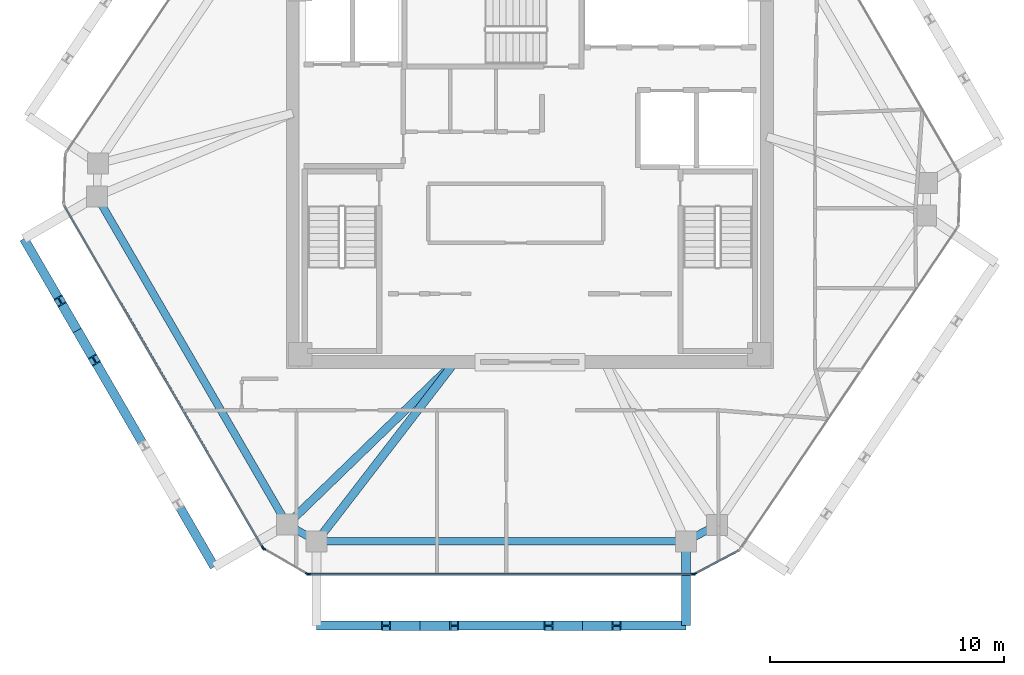
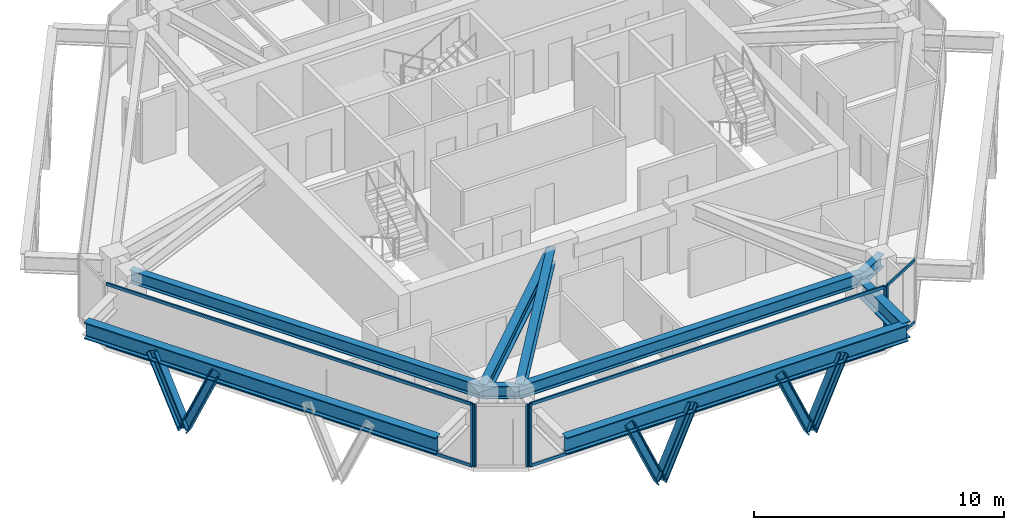
# One storey, part 2 of 11: 18 members, 9 beams, 4 elements without a shape of their own.
"""IFC4 building model written with IfcOpenShell, lengths in metres."""

from ifc_helpers import new_model, si_unit, direction, frame, origin, origin_2d, place, context, subcontext, project, spatial, rectangle, i_section, extrude, source, transform, mapped, material, layer, layer_set, material_profile, profile_set, type_object, type_shapes, element, aggregate, save


model = new_model("IFC4")

# Units and contexts
model_context = context("Model", 3, precision=1e-05, world=origin(), true_north=direction((0.0, 1.0)))
body_context = subcontext(model_context, "Body", "Model", "MODEL_VIEW")
ifc_project = project(units=[si_unit("LENGTHUNIT", "METRE"), si_unit("AREAUNIT", "SQUARE_METRE"), si_unit("VOLUMEUNIT", "CUBIC_METRE"), si_unit("PLANEANGLEUNIT", "RADIAN"), si_unit("MASSUNIT", "GRAM", prefix="KILO")], contexts=[model_context])

# Site, building, storey
site_placement = place(None, origin())
site = spatial("IfcSite", under=ifc_project, at=site_placement, CompositionType="ELEMENT")
building_placement = place(site_placement, origin())
building = spatial("IfcBuilding", under=site, at=building_placement, Name="Durnholm Broadcast Tower", CompositionType="ELEMENT")
storey_placement = place(building_placement, frame((0.0, 0.0, 231.5)))
storey = spatial("IfcBuildingStorey", under=building, at=storey_placement, Name="L64", CompositionType="ELEMENT", Elevation=231.5)

# Beams
ifc_material_1 = material(Name="Steel ASTM A992 Grade 50", Category="steel")
ifc_material_profile_1 = material_profile(ifc_material_1, i_section(OverallWidth=0.385009765625, OverallDepth=0.802978515625, WebThickness=0.023681640625, FlangeThickness=0.0419921875, FilletRadius=0.032958984375, at=origin_2d()), Name="W30X261")
ifc_profile_set_1 = profile_set([ifc_material_profile_1], Name="Steel ASTM A992 Grade 50")
beam_type_1 = type_object("IfcBeamType", Name="BM-EXO-TIE", PredefinedType="USERDEFINED", material=ifc_profile_set_1)
shared_shape_1 = source(origin(), body_context, "Body", "SweptSolid", [
    extrude(i_section(OverallWidth=0.385009765625, OverallDepth=0.802978515625, WebThickness=0.023681640625, FlangeThickness=0.0419921875, FilletRadius=0.032958984375, at=origin_2d()), origin(), (0.0, 0.0, 1.0), 3.4560546875),
])
beam_1_placement = place(storey_placement, frame((6.663818359375, -15.929931640625, 2.30859375), z_axis=(0.0, -1.0, 0.0), x_axis=(1.0, 0.0, 0.0)))
element("IfcBeam", 1, at=beam_1_placement, inside=storey, type_object=beam_type_1, Name="L64 exoskeleton stand-off tie bracket F1.2", ObjectType="GIRDER", PredefinedType="USERDEFINED", context=body_context, shape_type="MappedRepresentation", body=[
    mapped(shared_shape_1, transform((0.0, 0.0, 0.0), x_axis=(1.0, 0.0, 0.0), y_axis=(0.0, 1.0, 0.0), z_axis=(0.0, 0.0, 1.0), scale=1.0)),
])
ifc_material_profile_2 = material_profile(ifc_material_1, i_section(OverallWidth=0.3251953125, OverallDepth=0.6162109375, WebThickness=0.013916015625, FlangeThickness=0.021484375, FilletRadius=0.02783203125, at=origin_2d()), Name="W24X117")
ifc_profile_set_2 = profile_set([ifc_material_profile_2], Name="Steel ASTM A992 Grade 50")
beam_type_2 = type_object("IfcBeamType", Name="STL-SP-W24X117", PredefinedType="SPANDREL", material=ifc_profile_set_2)
shared_shape_2 = source(origin(), body_context, "Body", "SweptSolid", [
    extrude(i_section(OverallWidth=0.3251953125, OverallDepth=0.6162109375, WebThickness=0.013916015625, FlangeThickness=0.021484375, FilletRadius=0.02783203125, at=origin_2d()), origin(), (0.0, 0.0, 1.0), 16.202880859375),
])
beam_2_placement = place(storey_placement, frame((-10.361328125, -15.061767578125, 2.73681640625), z_axis=(-0.501948303381, 0.864897624423, 0.0), x_axis=(-0.864897624423, -0.501948303381, 0.0)))
element("IfcBeam", 2, at=beam_2_placement, inside=storey, type_object=beam_type_2, Name="L64 perimeter spandrel girder 01", PredefinedType="SPANDREL", context=body_context, shape_type="MappedRepresentation", body=[
    mapped(shared_shape_2, transform((0.0, 0.0, 0.0), x_axis=(1.0, 0.0, 0.0), y_axis=(0.0, 1.0, 0.0), z_axis=(0.0, 0.0, 1.0), scale=1.0)),
])
shared_shape_3 = source(origin(), body_context, "Body", "SweptSolid", [
    extrude(i_section(OverallWidth=0.3251953125, OverallDepth=0.6162109375, WebThickness=0.013916015625, FlangeThickness=0.021484375, FilletRadius=0.02783203125, at=origin_2d()), origin(), (0.0, 0.0, 1.0), 1.502685546875),
])
beam_3_placement = place(storey_placement, frame((7.990966796875, -15.081298828125, 2.73681640625), z_axis=(-0.883241909673, -0.468917614296, 0.0), x_axis=(0.468917614296, -0.883241909673, 0.0)))
element("IfcBeam", 3, at=beam_3_placement, inside=storey, type_object=beam_type_2, Name="L64 perimeter spandrel girder 10", PredefinedType="SPANDREL", context=body_context, shape_type="MappedRepresentation", body=[
    mapped(shared_shape_3, transform((0.0, 0.0, 0.0), x_axis=(1.0, 0.0, 0.0), y_axis=(0.0, 1.0, 0.0), z_axis=(0.0, 0.0, 1.0), scale=1.0)),
])
shared_shape_4 = source(origin(), body_context, "Body", "SweptSolid", [
    extrude(i_section(OverallWidth=0.3251953125, OverallDepth=0.6162109375, WebThickness=0.013916015625, FlangeThickness=0.021484375, FilletRadius=0.02783203125, at=origin_2d()), origin(), (0.0, 0.0, 1.0), 15.767578125),
])
beam_4_placement = place(storey_placement, frame((6.663818359375, -15.785888671875, 2.73681640625), z_axis=(-1.0, 0.0, 0.0), x_axis=(0.0, -1.0, 0.0)))
element("IfcBeam", 4, at=beam_4_placement, inside=storey, type_object=beam_type_2, Name="L64 perimeter spandrel girder 11", PredefinedType="SPANDREL", context=body_context, shape_type="MappedRepresentation", body=[
    mapped(shared_shape_4, transform((0.0, 0.0, 0.0), x_axis=(1.0, 0.0, 0.0), y_axis=(0.0, 1.0, 0.0), z_axis=(0.0, 0.0, 1.0), scale=1.0)),
])
shared_shape_5 = source(origin(), body_context, "Body", "SweptSolid", [
    extrude(i_section(OverallWidth=0.3251953125, OverallDepth=0.6162109375, WebThickness=0.013916015625, FlangeThickness=0.021484375, FilletRadius=0.02783203125, at=origin_2d()), origin(), (0.0, 0.0, 1.0), 1.451171875),
])
type_shapes(beam_type_2, [shared_shape_2, shared_shape_3, shared_shape_4, shared_shape_5])
beam_5_placement = place(storey_placement, frame((-9.103759765625, -15.785888671875, 2.73681640625), z_axis=(-0.866602615509, 0.498998904601, 0.0), x_axis=(-0.498998904601, -0.866602615509, 0.0)))
element("IfcBeam", 5, at=beam_5_placement, inside=storey, type_object=beam_type_2, Name="L64 perimeter spandrel girder 12", PredefinedType="SPANDREL", context=body_context, shape_type="MappedRepresentation", body=[
    mapped(shared_shape_5, transform((0.0, 0.0, 0.0), x_axis=(1.0, 0.0, 0.0), y_axis=(0.0, 1.0, 0.0), z_axis=(0.0, 0.0, 1.0), scale=1.0)),
])
shared_shape_6 = source(origin(), body_context, "Body", "SweptSolid", [
    extrude(i_section(OverallWidth=0.385009765625, OverallDepth=0.802978515625, WebThickness=0.023681640625, FlangeThickness=0.0419921875, FilletRadius=0.032958984375, at=origin_2d()), origin(), (0.0, 0.0, 1.0), 15.767578125),
])
beam_6_placement = place(storey_placement, frame((-9.103759765625, -19.385986328125, 2.30859375), z_axis=(1.0, 0.0, 0.0), x_axis=(0.0, 1.0, 0.0)))
element("IfcBeam", 6, at=beam_6_placement, inside=storey, type_object=beam_type_1, Name="L64 exoskeleton collector spandrel F1", PredefinedType="SPANDREL", context=body_context, shape_type="MappedRepresentation", body=[
    mapped(shared_shape_6, transform((0.0, 0.0, 0.0), x_axis=(1.0, 0.0, 0.0), y_axis=(0.0, 1.0, 0.0), z_axis=(0.0, 0.0, 1.0), scale=1.0)),
])
shared_shape_7 = source(origin(), body_context, "Body", "SweptSolid", [
    extrude(i_section(OverallWidth=0.385009765625, OverallDepth=0.802978515625, WebThickness=0.023681640625, FlangeThickness=0.0419921875, FilletRadius=0.032958984375, at=origin_2d()), origin(), (0.0, 0.0, 1.0), 16.20263671875),
])
type_shapes(beam_type_1, [shared_shape_1, shared_shape_6, shared_shape_7])
beam_7_placement = place(storey_placement, frame((-21.60791015625, -2.85498046875, 2.30859375), z_axis=(0.501943573333, -0.864900369516, 0.0), x_axis=(0.864900369516, 0.501943573333, 0.0)))
element("IfcBeam", 7, at=beam_7_placement, inside=storey, type_object=beam_type_1, Name="L64 exoskeleton collector spandrel F6", PredefinedType="SPANDREL", context=body_context, shape_type="MappedRepresentation", body=[
    mapped(shared_shape_7, transform((0.0, 0.0, 0.0), x_axis=(1.0, 0.0, 0.0), y_axis=(0.0, 1.0, 0.0), z_axis=(0.0, 0.0, 1.0), scale=1.0)),
])
ifc_material_profile_3 = material_profile(ifc_material_1, i_section(OverallWidth=0.3564453125, OverallDepth=0.713623046875, WebThickness=0.01904296875, FlangeThickness=0.033935546875, FilletRadius=0.030517578125, at=origin_2d()), Name="W27X194")
ifc_profile_set_3 = profile_set([ifc_material_profile_3], Name="Steel ASTM A992 Grade 50")
beam_type_3 = type_object("IfcBeamType", Name="STL-GR-W27X194", PredefinedType="USERDEFINED", material=ifc_profile_set_3)
shared_shape_8 = source(origin(), body_context, "Body", "SweptSolid", [
    extrude(i_section(OverallWidth=0.3564453125, OverallDepth=0.713623046875, WebThickness=0.01904296875, FlangeThickness=0.033935546875, FilletRadius=0.030517578125, at=origin_2d()), origin(), (0.0, 0.0, 1.0), 9.97021484375),
])
beam_8_placement = place(storey_placement, frame((-3.199951171875, -8.125, 2.688232421875), z_axis=(-0.718281140352, -0.695752975857, 0.0), x_axis=(0.695752975857, -0.718281140352, 0.0)))
element("IfcBeam", 8, at=beam_8_placement, inside=storey, type_object=beam_type_3, Name="L64 radial primary floor girder 01", ObjectType="GIRDER", PredefinedType="USERDEFINED", context=body_context, shape_type="MappedRepresentation", body=[
    mapped(shared_shape_8, transform((0.0, 0.0, 0.0), x_axis=(1.0, 0.0, 0.0), y_axis=(0.0, 1.0, 0.0), z_axis=(0.0, 0.0, 1.0), scale=1.0)),
])
shared_shape_9 = source(origin(), body_context, "Body", "SweptSolid", [
    extrude(i_section(OverallWidth=0.3564453125, OverallDepth=0.713623046875, WebThickness=0.01904296875, FlangeThickness=0.033935546875, FilletRadius=0.030517578125, at=origin_2d()), origin(), (0.0, 0.0, 1.0), 9.671875),
])
type_shapes(beam_type_3, [shared_shape_8, shared_shape_9])
beam_9_placement = place(storey_placement, frame((-3.199951171875, -8.125, 2.688232421875), z_axis=(-0.610413181287, -0.792083169945, 0.0), x_axis=(0.792083169945, -0.610413181287, 0.0)))
element("IfcBeam", 9, at=beam_9_placement, inside=storey, type_object=beam_type_3, Name="L64 radial primary floor girder 12", ObjectType="GIRDER", PredefinedType="USERDEFINED", context=body_context, shape_type="MappedRepresentation", body=[
    mapped(shared_shape_9, transform((0.0, 0.0, 0.0), x_axis=(1.0, 0.0, 0.0), y_axis=(0.0, 1.0, 0.0), z_axis=(0.0, 0.0, 1.0), scale=1.0)),
])

# Members
ifc_material_2 = material(Name="Steel ASTM A913 Grade 65", Category="steel")
ifc_material_profile_4 = material_profile(ifc_material_2, i_section(OverallWidth=0.40625, OverallDepth=0.416015625, WebThickness=0.02978515625, FlangeThickness=0.048095703125, FilletRadius=0.030517578125, at=origin_2d()), Name="W14X257")
ifc_profile_set_4 = profile_set([ifc_material_profile_4], Name="Steel ASTM A913 Grade 65")
member_type_1 = type_object("IfcMemberType", Name="STL-DG-W14X257", PredefinedType="BRACE", material=ifc_profile_set_4)
shared_shape_10 = source(origin(), body_context, "Body", "SweptSolid", [
    extrude(i_section(OverallWidth=0.40625, OverallDepth=0.416015625, WebThickness=0.02978515625, FlangeThickness=0.048095703125, FilletRadius=0.030517578125, at=origin_2d()), origin(), (0.0, 0.0, 1.0), 3.60791015625),
])
for number, where, z_axis, x_axis, name in (
    (10, (-4.688720703125, -19.385986328125, -0.991455078125), (-0.404184914295, 0.0, 0.914677295584), (0.0, -1.0, 0.0), "L64 stand-off diagrid brace F1.D1.1"),
    (11, (2.248779296875, -19.385986328125, -0.991455078125), (-0.404184914295, 0.0, 0.914677295584), (0.0, -1.0, 0.0), "L64 stand-off diagrid brace F1.D2.1"),
    (12, (2.248779296875, -19.385986328125, -0.991455078125), (0.404184914295, 0.0, 0.914677295584), (0.0, 1.0, 0.0), "L64 stand-off diagrid brace F1.D2.2"),
    (13, (-19.330810546875, -6.77880859375, -0.991455078125), (-0.202806304578, 0.349582038522, 0.914692298626), (-0.864978863669, -0.501808295473, 0.0), "L64 stand-off diagrid brace F6.D1.1"),
    (14, (-19.330810546875, -6.77880859375, -0.991455078125), (0.202936072208, -0.349572440488, 0.914667185072), (0.864833498681, 0.50205878098, 0.0), "L64 stand-off diagrid brace F6.D1.2"),
):
    element("IfcMember", number, at=place(storey_placement, frame(where, z_axis=z_axis, x_axis=x_axis)), inside=storey, type_object=member_type_1, Name=name, PredefinedType="BRACE", context=body_context, shape_type="MappedRepresentation", body=[
        mapped(shared_shape_10, transform((0.0, 0.0, 0.0), x_axis=(1.0, 0.0, 0.0), y_axis=(0.0, 1.0, 0.0), z_axis=(0.0, 0.0, 1.0), scale=1.0)),
    ])
shared_shape_11 = source(origin(), body_context, "Body", "SweptSolid", [
    extrude(i_section(OverallWidth=0.40625, OverallDepth=0.416015625, WebThickness=0.02978515625, FlangeThickness=0.048095703125, FilletRadius=0.030517578125, at=origin_2d()), origin(), (0.0, 0.0, 1.0), 3.607666015625),
])
type_shapes(member_type_1, [shared_shape_10, shared_shape_11])
member_1_placement = place(storey_placement, frame((-4.688720703125, -19.385986328125, -0.991455078125), z_axis=(0.404128298032, 0.0, 0.914702311536), x_axis=(0.0, 1.0, 0.0)))
element("IfcMember", 15, at=member_1_placement, inside=storey, type_object=member_type_1, Name="L64 stand-off diagrid brace F1.D1.2", PredefinedType="BRACE", context=body_context, shape_type="MappedRepresentation", body=[
    mapped(shared_shape_11, transform((0.0, 0.0, 0.0), x_axis=(1.0, 0.0, 0.0), y_axis=(0.0, 1.0, 0.0), z_axis=(0.0, 0.0, 1.0), scale=1.0)),
])

# Curtain wall, members
ifc_material_3 = material(Name="Aluminium and Solar Control IGU", Category="aluminium")
ifc_layer_1 = layer(ifc_material_3, 0.1650390625)
ifc_layer_set_1 = layer_set([ifc_layer_1], Name="Aluminium and Solar Control IGU")
curtain_wall_type_1 = type_object("IfcCurtainWallType", Name="CW-SYS-5", PredefinedType="NOTDEFINED", material=ifc_layer_set_1)
curtain_wall_1_placement = place(storey_placement, origin())
curtain_wall_1 = element("IfcCurtainWall", 16, at=curtain_wall_1_placement, inside=storey, type_object=curtain_wall_type_1, Name="L64 curtain wall CW-CORNER CW-L64-CRN-09", PredefinedType="NOTDEFINED")
ifc_material_4 = material(Name="Aluminium 6063-T6", Category="aluminium")
ifc_material_profile_5 = material_profile(ifc_material_4, rectangle(XDim=0.06494140625, YDim=0.1298828125, at=origin_2d()), Name="CWT65X130")
ifc_profile_set_5 = profile_set([ifc_material_profile_5], Name="Aluminium 6063-T6")
member_type_2 = type_object("IfcMemberType", Name="CW-SYS-5-TRN", PredefinedType="USERDEFINED", material=ifc_profile_set_5)
shared_shape_12 = source(origin(), body_context, "Body", "SweptSolid", [
    extrude(rectangle(XDim=0.06494140625, YDim=0.1298828125, at=origin_2d()), origin(), (0.0, 0.0, 1.0), 2.070068359375),
])
type_shapes(member_type_2, [shared_shape_12])
member_2_placement = place(storey_placement, frame((8.89794921875, -16.1845703125, 0.032470703125), z_axis=(-0.883164581026, -0.469063239682, 0.0), x_axis=(0.469063239682, -0.883164581026, 0.0)))
member_2 = element("IfcMember", 17, at=member_2_placement, type_object=member_type_2, Name="CW-CORNER transom 1.1", ObjectType="TRANSOM", PredefinedType="USERDEFINED", context=body_context, shape_type="MappedRepresentation", body=[
    mapped(shared_shape_12, transform((0.0, 0.0, 0.0), x_axis=(1.0, 0.0, 0.0), y_axis=(0.0, 1.0, 0.0), z_axis=(0.0, 0.0, 1.0), scale=1.0)),
])
member_3_placement = place(storey_placement, frame((8.89794921875, -16.1845703125, 3.027587890625), z_axis=(-0.883164581026, -0.469063239682, 0.0), x_axis=(0.469063239682, -0.883164581026, 0.0)))
member_3 = element("IfcMember", 18, at=member_3_placement, type_object=member_type_2, Name="CW-CORNER transom 1.2", ObjectType="TRANSOM", PredefinedType="USERDEFINED", context=body_context, shape_type="MappedRepresentation", body=[
    mapped(shared_shape_12, transform((0.0, 0.0, 0.0), x_axis=(1.0, 0.0, 0.0), y_axis=(0.0, 1.0, 0.0), z_axis=(0.0, 0.0, 1.0), scale=1.0)),
])
ifc_material_profile_6 = material_profile(ifc_material_4, rectangle(XDim=0.06494140625, YDim=0.1650390625, at=origin_2d()), Name="CWM65X165")
ifc_profile_set_6 = profile_set([ifc_material_profile_6], Name="Aluminium 6063-T6")
member_type_3 = type_object("IfcMemberType", Name="CW-SYS-5-MUL", PredefinedType="MULLION", material=ifc_profile_set_6)
shared_shape_13 = source(origin(), body_context, "Body", "SweptSolid", [
    extrude(rectangle(XDim=0.06494140625, YDim=0.1650390625, at=origin_2d()), origin(), (0.0, 0.0, 1.0), 3.06005859375),
])
type_shapes(member_type_3, [shared_shape_13])
member_4_placement = place(storey_placement, frame((7.041015625, -17.170654296875, 0.0), z_axis=(0.0, 0.0, 1.0), x_axis=(0.469006771575, -0.883194569853, 0.0)))
member_4 = element("IfcMember", 19, at=member_4_placement, type_object=member_type_3, Name="CW-CORNER mullion 2", PredefinedType="MULLION", context=body_context, shape_type="MappedRepresentation", body=[
    mapped(shared_shape_13, transform((0.0, 0.0, 0.0), x_axis=(1.0, 0.0, 0.0), y_axis=(0.0, 1.0, 0.0), z_axis=(0.0, 0.0, 1.0), scale=1.0)),
])
aggregate(curtain_wall_1, [member_4, member_2, member_3])

curtain_wall_2_placement = place(storey_placement, origin())
curtain_wall_2 = element("IfcCurtainWall", 20, at=curtain_wall_2_placement, inside=storey, type_object=curtain_wall_type_1, Name="L64 curtain wall CW-CORNER CW-L64-CRN-11", PredefinedType="NOTDEFINED")
member_5_placement = place(storey_placement, frame((-9.506103515625, -17.169677734375, 0.0), z_axis=(0.0, 0.0, 1.0), x_axis=(-0.499058582333, -0.866568249707, 0.0)))
member_5 = element("IfcMember", 21, at=member_5_placement, type_object=member_type_3, Name="CW-CORNER mullion 1", PredefinedType="MULLION", context=body_context, shape_type="MappedRepresentation", body=[
    mapped(shared_shape_13, transform((0.0, 0.0, 0.0), x_axis=(1.0, 0.0, 0.0), y_axis=(0.0, 1.0, 0.0), z_axis=(0.0, 0.0, 1.0), scale=1.0)),
])
member_6_placement = place(storey_placement, frame((-11.356201171875, -16.104248046875, 0.0), z_axis=(0.0, 0.0, 1.0), x_axis=(-0.499058582333, -0.866568249707, 0.0)))
member_6 = element("IfcMember", 22, at=member_6_placement, type_object=member_type_3, Name="CW-CORNER mullion 2", PredefinedType="MULLION", context=body_context, shape_type="MappedRepresentation", body=[
    mapped(shared_shape_13, transform((0.0, 0.0, 0.0), x_axis=(1.0, 0.0, 0.0), y_axis=(0.0, 1.0, 0.0), z_axis=(0.0, 0.0, 1.0), scale=1.0)),
])
aggregate(curtain_wall_2, [member_5, member_6])

ifc_layer_2 = layer(ifc_material_3, 0.18994140625)
ifc_layer_set_2 = layer_set([ifc_layer_2], Name="Aluminium and Solar Control IGU")
curtain_wall_type_2 = type_object("IfcCurtainWallType", Name="CW-SYS-4", PredefinedType="NOTDEFINED", material=ifc_layer_set_2)
curtain_wall_3_placement = place(storey_placement, origin())
curtain_wall_3 = element("IfcCurtainWall", 23, at=curtain_wall_3_placement, inside=storey, type_object=curtain_wall_type_2, Name="L64 curtain wall CW-Z34-VIS CW-L64-F10", PredefinedType="NOTDEFINED")
ifc_material_profile_7 = material_profile(ifc_material_4, rectangle(XDim=0.070068359375, YDim=0.18994140625, at=origin_2d()), Name="CWM70X190")
ifc_profile_set_7 = profile_set([ifc_material_profile_7], Name="Aluminium 6063-T6")
member_type_4 = type_object("IfcMemberType", Name="CW-SYS-4-MUL", PredefinedType="MULLION", material=ifc_profile_set_7)
shared_shape_14 = source(origin(), body_context, "Body", "SweptSolid", [
    extrude(rectangle(XDim=0.070068359375, YDim=0.18994140625, at=origin_2d()), origin(), (0.0, 0.0, 1.0), 3.06005859375),
])
type_shapes(member_type_4, [shared_shape_14])
member_7_placement = place(storey_placement, frame((6.977294921875, -17.18603515625, 0.0), z_axis=(0.0, 0.0, 1.0), x_axis=(0.0, -1.0, 0.0)))
member_7 = element("IfcMember", 24, at=member_7_placement, type_object=member_type_4, Name="CW-Z34-VIS mullion 1", PredefinedType="MULLION", context=body_context, shape_type="MappedRepresentation", body=[
    mapped(shared_shape_14, transform((0.0, 0.0, 0.0), x_axis=(1.0, 0.0, 0.0), y_axis=(0.0, 1.0, 0.0), z_axis=(0.0, 0.0, 1.0), scale=1.0)),
])
member_8_placement = place(storey_placement, frame((-9.443115234375, -17.18603515625, 0.0), z_axis=(0.0, 0.0, 1.0), x_axis=(0.0, -1.0, 0.0)))
member_8 = element("IfcMember", 25, at=member_8_placement, type_object=member_type_4, Name="CW-Z34-VIS mullion 2", PredefinedType="MULLION", context=body_context, shape_type="MappedRepresentation", body=[
    mapped(shared_shape_14, transform((0.0, 0.0, 0.0), x_axis=(1.0, 0.0, 0.0), y_axis=(0.0, 1.0, 0.0), z_axis=(0.0, 0.0, 1.0), scale=1.0)),
])

# Curtain wall, member
curtain_wall_4_placement = place(storey_placement, origin())
curtain_wall_4 = element("IfcCurtainWall", 26, at=curtain_wall_4_placement, inside=storey, type_object=curtain_wall_type_2, Name="L64 curtain wall CW-Z34-VIS CW-L64-F12", PredefinedType="NOTDEFINED")
member_9_placement = place(storey_placement, frame((-11.40185546875, -16.057861328125, 0.0), z_axis=(0.0, 0.0, 1.0), x_axis=(-0.864899883824, -0.50194441023, 0.0)))
member_9 = element("IfcMember", 27, at=member_9_placement, type_object=member_type_4, Name="CW-Z34-VIS mullion 1", PredefinedType="MULLION", context=body_context, shape_type="MappedRepresentation", body=[
    mapped(shared_shape_14, transform((0.0, 0.0, 0.0), x_axis=(1.0, 0.0, 0.0), y_axis=(0.0, 1.0, 0.0), z_axis=(0.0, 0.0, 1.0), scale=1.0)),
])

# Member
ifc_material_profile_8 = material_profile(ifc_material_4, rectangle(XDim=0.070068359375, YDim=0.14990234375, at=origin_2d()), Name="CWT70X150")
ifc_profile_set_8 = profile_set([ifc_material_profile_8], Name="Aluminium 6063-T6")
member_type_5 = type_object("IfcMemberType", Name="CW-SYS-4-TRN", PredefinedType="USERDEFINED", material=ifc_profile_set_8)
shared_shape_15 = source(origin(), body_context, "Body", "SweptSolid", [
    extrude(rectangle(XDim=0.070068359375, YDim=0.14990234375, at=origin_2d()), origin(), (0.0, 0.0, 1.0), 16.350341796875),
])
member_10_placement = place(storey_placement, frame((6.9423828125, -17.18603515625, 0.034912109375), z_axis=(-1.0, 0.0, 0.0), x_axis=(0.0, -1.0, 0.0)))
member_10 = element("IfcMember", 28, at=member_10_placement, type_object=member_type_5, Name="CW-Z34-VIS transom 1.1", ObjectType="TRANSOM", PredefinedType="USERDEFINED", context=body_context, shape_type="MappedRepresentation", body=[
    mapped(shared_shape_15, transform((0.0, 0.0, 0.0), x_axis=(1.0, 0.0, 0.0), y_axis=(0.0, 1.0, 0.0), z_axis=(0.0, 0.0, 1.0), scale=1.0)),
])

member_11_placement = place(storey_placement, frame((6.9423828125, -17.18603515625, 3.02490234375), z_axis=(-1.0, 0.0, 0.0), x_axis=(0.0, -1.0, 0.0)))
member_11 = element("IfcMember", 29, at=member_11_placement, type_object=member_type_5, Name="CW-Z34-VIS transom 1.2", ObjectType="TRANSOM", PredefinedType="USERDEFINED", context=body_context, shape_type="MappedRepresentation", body=[
    mapped(shared_shape_15, transform((0.0, 0.0, 0.0), x_axis=(1.0, 0.0, 0.0), y_axis=(0.0, 1.0, 0.0), z_axis=(0.0, 0.0, 1.0), scale=1.0)),
])

aggregate(curtain_wall_3, [member_7, member_8, member_10, member_11])

shared_shape_16 = source(origin(), body_context, "Body", "SweptSolid", [
    extrude(rectangle(XDim=0.070068359375, YDim=0.14990234375, at=origin_2d()), origin(), (0.0, 0.0, 1.0), 16.83984375),
])
type_shapes(member_type_5, [shared_shape_15, shared_shape_16])
member_12_placement = place(storey_placement, frame((-11.41943359375, -16.027587890625, 0.034912109375), z_axis=(-0.501945239029, 0.86489940283, 0.0), x_axis=(-0.86489940283, -0.501945239029, 0.0)))
member_12 = element("IfcMember", 30, at=member_12_placement, type_object=member_type_5, Name="CW-Z34-VIS transom 1.1", ObjectType="TRANSOM", PredefinedType="USERDEFINED", context=body_context, shape_type="MappedRepresentation", body=[
    mapped(shared_shape_16, transform((0.0, 0.0, 0.0), x_axis=(1.0, 0.0, 0.0), y_axis=(0.0, 1.0, 0.0), z_axis=(0.0, 0.0, 1.0), scale=1.0)),
])

member_13_placement = place(storey_placement, frame((-11.41943359375, -16.027587890625, 3.02490234375), z_axis=(-0.501945239029, 0.86489940283, 0.0), x_axis=(-0.86489940283, -0.501945239029, 0.0)))
member_13 = element("IfcMember", 31, at=member_13_placement, type_object=member_type_5, Name="CW-Z34-VIS transom 1.2", ObjectType="TRANSOM", PredefinedType="USERDEFINED", context=body_context, shape_type="MappedRepresentation", body=[
    mapped(shared_shape_16, transform((0.0, 0.0, 0.0), x_axis=(1.0, 0.0, 0.0), y_axis=(0.0, 1.0, 0.0), z_axis=(0.0, 0.0, 1.0), scale=1.0)),
])

aggregate(curtain_wall_4, [member_9, member_12, member_13])

save(model, "model.ifc")
